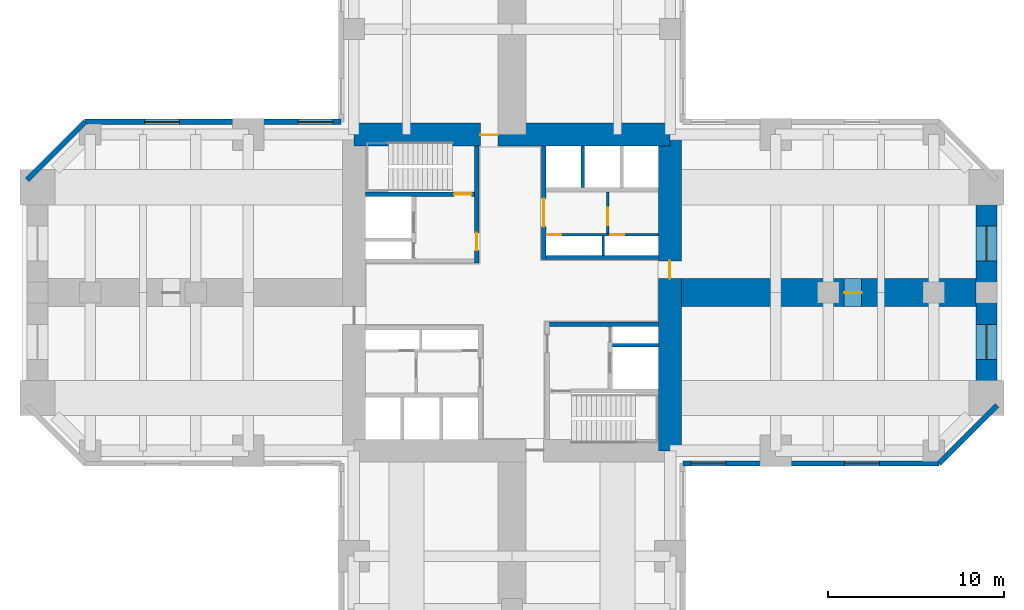
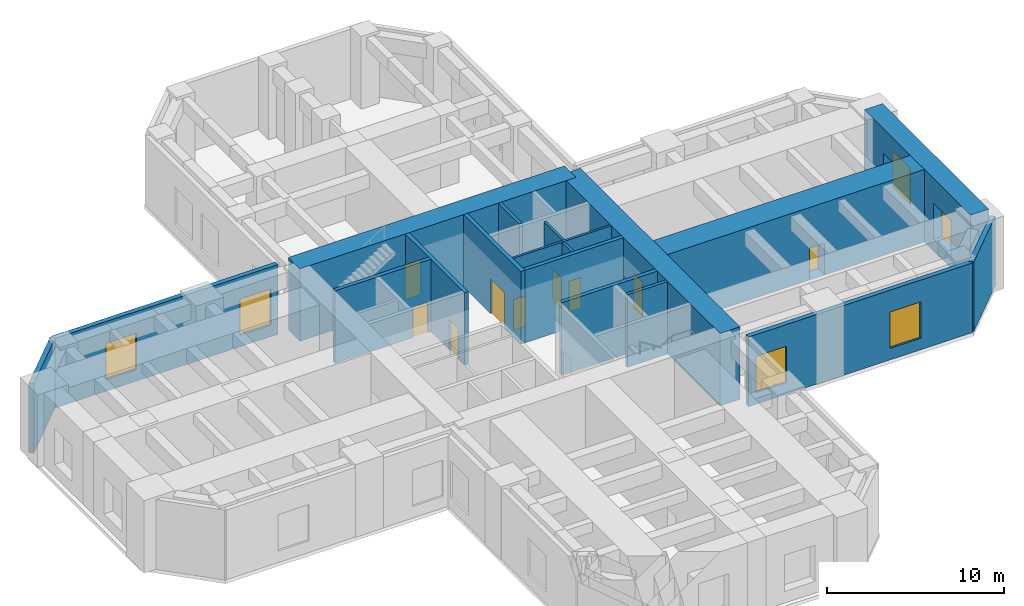
# One storey, part 4 of 6: 18 walls, 9 doors, 6 windows, 15 openings.
"""IFC4 building model written with IfcOpenShell, lengths in metres."""

from ifc_helpers import new_model, si_unit, direction, frame, frame_2d, origin, place, context, subcontext, project, spatial, rectangle, hollow_rectangle, extrude, material, layer, layer_set, constituent, constituent_set, type_object, element, fill, save


model = new_model("IFC4")

# Units and contexts
model_context = context("Model", 3, precision=1e-05, world=origin(), true_north=direction((0.0, 1.0)))
body_context = subcontext(model_context, "Body", "Model", "MODEL_VIEW")
ifc_project = project(units=[si_unit("LENGTHUNIT", "METRE"), si_unit("AREAUNIT", "SQUARE_METRE"), si_unit("VOLUMEUNIT", "CUBIC_METRE"), si_unit("PLANEANGLEUNIT", "RADIAN"), si_unit("MASSUNIT", "GRAM", prefix="KILO")], contexts=[model_context])

# Site, building, storey
site_placement = place(None, origin())
site = spatial("IfcSite", under=ifc_project, at=site_placement, CompositionType="ELEMENT")
building_placement = place(site_placement, origin())
building = spatial("IfcBuilding", under=site, at=building_placement, Name="Torre Cruceta", CompositionType="ELEMENT")
storey_placement = place(building_placement, frame((0.0, 0.0, 18.5)))
storey = spatial("IfcBuildingStorey", under=building, at=storey_placement, Name="L04", CompositionType="ELEMENT", Elevation=18.5)

# Wall, opening, door
ifc_material_1 = material(Name="Concrete G60 (fck 60 MPa)", Category="concrete")
ifc_layer_1 = layer(ifc_material_1, 0.25)
ifc_layer_set_1 = layer_set([ifc_layer_1], Name="Concrete G60 (fck 60 MPa)")
wall_type_1 = type_object("IfcWallType", Name="CORE INNER WALL 250 G60", PredefinedType="SHEAR", material=ifc_layer_set_1)
wall_1_placement = place(storey_placement, frame((1.800048828125, 1.875, 0.0), z_axis=(0.0, 0.0, 1.0), x_axis=(0.0, 1.0, 0.0)))
wall_1 = element("IfcWall", 1, at=wall_1_placement, inside=storey, type_object=wall_type_1, Name="CW4 L04 NE-CU", PredefinedType="SHEAR", context=body_context, shape_type="SweptSolid", body=[
    extrude(rectangle(XDim=6.47509765625, YDim=0.25, at=frame_2d((3.237548828125, 0.0))), origin(), (0.0, 0.0, 1.0), 5.0),
])
opening_1_placement = place(wall_1_placement, frame((1.875, 0.0, 0.0)))
opening_1 = element("IfcOpeningElement", 2, at=opening_1_placement, cuts=wall_1, Name="Opening D15", PredefinedType="OPENING", context=body_context, shape_type="SweptSolid", body=[
    extrude(rectangle(XDim=1.60009765625, YDim=2.39990234375, at=frame_2d((0.800048828125, 1.199951171875))), frame((0.0, 0.135009765625, 0.0), z_axis=(0.0, -1.0, 0.0), x_axis=(1.0, 0.0, 0.0)), (0.0, 0.0, 1.0), 0.27001953125),
])
ifc_material_2 = material(Name="Steel DX51D", Category="steel")
ifc_constituent_1 = constituent(ifc_material_2, Name="Leaf and frame")
ifc_material_3 = material(Name="Polyester powder coating", Category="paint")
ifc_constituent_2 = constituent(ifc_material_3, Name="Finish")
ifc_constituent_set_1 = constituent_set(constituents=[ifc_constituent_1, ifc_constituent_2], Name="Steel fire door")
door_type_1 = type_object("IfcDoorType", Name="CORE ROOM DOUBLE DOOR 1600X2400", OperationType="DOUBLE_DOOR_SINGLE_SWING", PredefinedType="DOOR", material=ifc_constituent_set_1)
door_1_placement = place(opening_1_placement, frame((1.60009765625, 0.0, 0.0), z_axis=(0.0, 0.0, 1.0), x_axis=(-1.0, 0.0, 0.0)))
door_1 = element("IfcDoor", 3, at=door_1_placement, inside=storey, type_object=door_type_1, Name="D15 L04 NE-LOBBY", OperationType="DOUBLE_DOOR_SINGLE_SWING", OverallHeight=2.39990234375, OverallWidth=1.60009765625, PredefinedType="DOOR", context=body_context, shape_type="SweptSolid", body=[
    extrude(rectangle(XDim=1.60009765625, YDim=2.39990234375, at=frame_2d((0.800048828125, 1.199951171875))), frame((0.0, 0.025146484375, 0.0), z_axis=(0.0, -1.0, 0.0), x_axis=(1.0, 0.0, 0.0)), (0.0, 0.0, 1.0), 0.050048828125),
])
fill(opening_1, door_1)

# Wall
wall_2_placement = place(storey_placement, frame((1.925048828125, 2.0, 0.0), z_axis=(0.0, 0.0, 1.0), x_axis=(1.0, 0.0, 0.0)))
element("IfcWall", 4, at=wall_2_placement, inside=storey, type_object=wall_type_1, Name="CW4 L04 NE-CV", PredefinedType="SHEAR", context=body_context, shape_type="SweptSolid", body=[
    extrude(rectangle(XDim=6.425048828125, YDim=0.25, at=frame_2d((3.21240234375, 0.0))), origin(), (0.0, 0.0, 1.0), 5.0),
])

# Wall, opening, door
wall_3_placement = place(storey_placement, frame((-2.0, 1.675048828125, 0.0), z_axis=(0.0, 0.0, 1.0), x_axis=(0.0, 1.0, 0.0)))
wall_3 = element("IfcWall", 5, at=wall_3_placement, inside=storey, type_object=wall_type_1, Name="CW4 L04 NW-CU", PredefinedType="SHEAR", context=body_context, shape_type="SweptSolid", body=[
    extrude(rectangle(XDim=6.675048828125, YDim=0.25, at=frame_2d((3.33740234375, 0.0))), origin(), (0.0, 0.0, 1.0), 5.0),
])
opening_2_placement = place(wall_3_placement, frame((0.72509765625, 0.0, 0.0)))
opening_2 = element("IfcOpeningElement", 6, at=opening_2_placement, cuts=wall_3, Name="Opening D3", PredefinedType="OPENING", context=body_context, shape_type="SweptSolid", body=[
    extrude(rectangle(XDim=1.0, YDim=2.10009765625, at=frame_2d((0.5, 1.050048828125))), frame((0.0, 0.135009765625, 0.0), z_axis=(0.0, -1.0, 0.0), x_axis=(1.0, 0.0, 0.0)), (0.0, 0.0, 1.0), 0.27001953125),
])
ifc_material_4 = material(Name="Steel DX51D", Category="steel")
ifc_constituent_3 = constituent(ifc_material_4, Name="Leaf and frame")
ifc_material_5 = material(Name="Polyester powder coating", Category="paint")
ifc_constituent_4 = constituent(ifc_material_5, Name="Finish")
ifc_constituent_set_2 = constituent_set(constituents=[ifc_constituent_3, ifc_constituent_4], Name="Steel fire door")
door_type_2 = type_object("IfcDoorType", Name="FIRE DOOR 1000X2100", OperationType="SINGLE_SWING_LEFT", PredefinedType="DOOR", material=ifc_constituent_set_2)
door_2_placement = place(opening_2_placement, origin())
door_2 = element("IfcDoor", 7, at=door_2_placement, inside=storey, type_object=door_type_2, Name="D3 L04 NW-LOBBY", OperationType="SINGLE_SWING_LEFT", OverallHeight=2.10009765625, OverallWidth=1.0, PredefinedType="DOOR", context=body_context, shape_type="SweptSolid", body=[
    extrude(rectangle(XDim=1.0, YDim=2.10009765625, at=frame_2d((0.5, 1.050048828125))), frame((0.0, 0.02490234375, 0.0), z_axis=(0.0, -1.0, 0.0), x_axis=(1.0, 0.0, 0.0)), (0.0, 0.0, 1.0), 0.050048828125),
])
fill(opening_2, door_2)

wall_4_placement = place(storey_placement, frame((-2.125, 5.60009765625, 0.0), z_axis=(0.0, 0.0, 1.0), x_axis=(-1.0, 0.0, 0.0)))
wall_4 = element("IfcWall", 8, at=wall_4_placement, inside=storey, type_object=wall_type_1, Name="CW4 L04 NW-SV", PredefinedType="SHEAR", context=body_context, shape_type="SweptSolid", body=[
    extrude(rectangle(XDim=6.22509765625, YDim=0.25, at=frame_2d((3.112548828125, 0.0))), origin(), (0.0, 0.0, 1.0), 5.0),
])
opening_3_placement = place(wall_4_placement, frame((0.175048828125, 0.0, 0.0)))
opening_3 = element("IfcOpeningElement", 9, at=opening_3_placement, cuts=wall_4, Name="Opening D3", PredefinedType="OPENING", context=body_context, shape_type="SweptSolid", body=[
    extrude(rectangle(XDim=1.0, YDim=2.10009765625, at=frame_2d((0.5, 1.050048828125))), frame((0.0, 0.135009765625, 0.0), z_axis=(0.0, -1.0, 0.0), x_axis=(1.0, 0.0, 0.0)), (0.0, 0.0, 1.0), 0.27001953125),
])
door_3_placement = place(opening_3_placement, frame((1.0, 0.0, 0.0), z_axis=(0.0, 0.0, 1.0), x_axis=(-1.0, 0.0, 0.0)))
door_3 = element("IfcDoor", 10, at=door_3_placement, inside=storey, type_object=door_type_2, Name="D3 L04 NW-STAIR", OperationType="SINGLE_SWING_RIGHT", OverallHeight=2.10009765625, OverallWidth=1.0, PredefinedType="DOOR", context=body_context, shape_type="SweptSolid", body=[
    extrude(rectangle(XDim=1.0, YDim=2.10009765625, at=frame_2d((0.5, 1.050048828125))), frame((0.0, 0.025146484375, 0.0), z_axis=(0.0, -1.0, 0.0), x_axis=(1.0, 0.0, 0.0)), (0.0, 0.0, 1.0), 0.050048828125),
])
fill(opening_3, door_3)

# Wall
wall_5_placement = place(storey_placement, frame((2.125, -1.800048828125, 0.0), z_axis=(0.0, 0.0, 1.0), x_axis=(1.0, 0.0, 0.0)))
element("IfcWall", 11, at=wall_5_placement, inside=storey, type_object=wall_type_1, Name="CW4 L04 SE-CV", PredefinedType="SHEAR", context=body_context, shape_type="SweptSolid", body=[
    extrude(rectangle(XDim=6.22509765625, YDim=0.25, at=frame_2d((3.112548828125, 0.0))), origin(), (0.0, 0.0, 1.0), 5.0),
])

# Wall, opening, door
ifc_material_6 = material(Name="Concrete G60 (fck 60 MPa)", Category="concrete")
ifc_layer_2 = layer(ifc_material_6, 1.300048828125)
ifc_layer_set_2 = layer_set([ifc_layer_2], Name="Concrete G60 (fck 60 MPa)")
wall_type_2 = type_object("IfcWallType", Name="CORE WALL 1300 G60", PredefinedType="SHEAR", material=ifc_layer_set_2)
wall_6_placement = place(storey_placement, frame((9.0, 9.0, 0.0), z_axis=(0.0, 0.0, 1.0), x_axis=(-1.0, 0.0, 0.0)))
wall_6 = element("IfcWall", 12, at=wall_6_placement, inside=storey, type_object=wall_type_2, Name="CW1 L04 CW-N", PredefinedType="SHEAR", context=body_context, shape_type="SweptSolid", body=[
    extrude(rectangle(XDim=18.0, YDim=1.300048828125, at=frame_2d((9.0, 0.0))), origin(), (0.0, 0.0, 1.0), 5.0),
])
opening_4_placement = place(wall_6_placement, frame((9.800048828125, 0.0, 0.0)))
opening_4 = element("IfcOpeningElement", 13, at=opening_4_placement, cuts=wall_6, Name="Opening D4", PredefinedType="OPENING", context=body_context, shape_type="SweptSolid", body=[
    extrude(rectangle(XDim=1.0, YDim=2.39990234375, at=frame_2d((0.5, 1.199951171875))), frame((0.0, 0.659912109375, 0.0), z_axis=(0.0, -1.0, 0.0), x_axis=(1.0, 0.0, 0.0)), (0.0, 0.0, 1.0), 1.320068359375),
])
ifc_material_7 = material(Name="Steel DX51D", Category="steel")
ifc_constituent_5 = constituent(ifc_material_7, Name="Leaf and frame")
ifc_material_8 = material(Name="Polyester powder coating", Category="paint")
ifc_constituent_6 = constituent(ifc_material_8, Name="Finish")
ifc_constituent_set_3 = constituent_set(constituents=[ifc_constituent_5, ifc_constituent_6], Name="Steel fire door")
door_type_3 = type_object("IfcDoorType", Name="CORE ARM DOOR 1000X2400", OperationType="SINGLE_SWING_RIGHT", PredefinedType="DOOR", material=ifc_constituent_set_3)
door_4_placement = place(opening_4_placement, frame((1.0, 0.0, 0.0), z_axis=(0.0, 0.0, 1.0), x_axis=(-1.0, 0.0, 0.0)))
door_4 = element("IfcDoor", 14, at=door_4_placement, inside=storey, type_object=door_type_3, Name="D4 L04 CW-N", OperationType="SINGLE_SWING_RIGHT", OverallHeight=2.39990234375, OverallWidth=1.0, PredefinedType="DOOR", context=body_context, shape_type="SweptSolid", body=[
    extrude(rectangle(XDim=1.0, YDim=2.39990234375, at=frame_2d((0.5, 1.199951171875))), frame((0.0, -0.005126953125, 0.0), z_axis=(0.0, -1.0, 0.0), x_axis=(1.0, 0.0, 0.0)), (0.0, 0.0, 1.0), 0.050048828125),
])
fill(opening_4, door_4)

wall_7_placement = place(storey_placement, frame((9.0, -9.0, 0.0), z_axis=(0.0, 0.0, 1.0), x_axis=(0.0, 1.0, 0.0)))
wall_7 = element("IfcWall", 15, at=wall_7_placement, inside=storey, type_object=wall_type_2, Name="CW1 L04 CW-E", PredefinedType="SHEAR", context=body_context, shape_type="SweptSolid", body=[
    extrude(rectangle(XDim=18.0, YDim=1.300048828125, at=frame_2d((9.0, 0.0))), origin(), (0.0, 0.0, 1.0), 5.0),
])
opening_5_placement = place(wall_7_placement, frame((9.800048828125, 0.0, 0.0)))
opening_5 = element("IfcOpeningElement", 16, at=opening_5_placement, cuts=wall_7, Name="Opening D4", PredefinedType="OPENING", context=body_context, shape_type="SweptSolid", body=[
    extrude(rectangle(XDim=1.0, YDim=2.39990234375, at=frame_2d((0.5, 1.199951171875))), frame((0.0, 0.659912109375, 0.0), z_axis=(0.0, -1.0, 0.0), x_axis=(1.0, 0.0, 0.0)), (0.0, 0.0, 1.0), 1.320068359375),
])
door_5_placement = place(opening_5_placement, frame((1.0, 0.0, 0.0), z_axis=(0.0, 0.0, 1.0), x_axis=(-1.0, 0.0, 0.0)))
door_5 = element("IfcDoor", 17, at=door_5_placement, inside=storey, type_object=door_type_3, Name="D4 L04 CW-E", OperationType="SINGLE_SWING_RIGHT", OverallHeight=2.39990234375, OverallWidth=1.0, PredefinedType="DOOR", context=body_context, shape_type="SweptSolid", body=[
    extrude(rectangle(XDim=1.0, YDim=2.39990234375, at=frame_2d((0.5, 1.199951171875))), frame((0.0, -0.005126953125, 0.0), z_axis=(0.0, -1.0, 0.0), x_axis=(1.0, 0.0, 0.0)), (0.0, 0.0, 1.0), 0.050048828125),
])
fill(opening_5, door_5)

# Wall, openings, windows
ifc_material_9 = material(Name="Concrete G30 (fck 30 MPa)", Category="concrete")
ifc_layer_3 = layer(ifc_material_9, 0.300048828125)
ifc_layer_set_3 = layer_set([ifc_layer_3], Name="Concrete G30 (fck 30 MPa)")
wall_type_3 = type_object("IfcWallType", Name="EXPOSED CONCRETE FACADE WALL 300", PredefinedType="SOLIDWALL", material=ifc_layer_set_3)
wall_8_placement = place(storey_placement, frame((9.719970703125, -9.719970703125, 0.0), z_axis=(0.0, 0.0, 1.0), x_axis=(1.0, 0.0, 0.0)))
wall_8 = element("IfcWall", 18, at=wall_8_placement, inside=storey, type_object=wall_type_3, Name="EW1 facade wall L04 E side 00", PredefinedType="SOLIDWALL", context=body_context, shape_type="SweptSolid", body=[
    extrude(rectangle(XDim=14.578369140625, YDim=0.300048828125, at=frame_2d((7.2890625, 0.0))), origin(), (0.0, 0.0, 1.0), 4.800048828125),
])
opening_6_placement = place(wall_8_placement, frame((0.457763671875, 0.0, 0.800048828125)))
opening_6 = element("IfcOpeningElement", 19, at=opening_6_placement, cuts=wall_8, Name="Opening WN3", PredefinedType="OPENING", context=body_context, shape_type="SweptSolid", body=[
    extrude(rectangle(XDim=2.0, YDim=2.5, at=frame_2d((1.0, 1.25))), frame((0.0, 0.159912109375, 0.0), z_axis=(0.0, -1.0, 0.0), x_axis=(1.0, 0.0, 0.0)), (0.0, 0.0, 1.0), 0.320068359375),
])
opening_7_placement = place(wall_8_placement, frame((9.204833984375, 0.0, 0.800048828125)))
opening_7 = element("IfcOpeningElement", 20, at=opening_7_placement, cuts=wall_8, Name="Opening WN3", PredefinedType="OPENING", context=body_context, shape_type="SweptSolid", body=[
    extrude(rectangle(XDim=2.0, YDim=2.5, at=frame_2d((1.0, 1.25))), frame((0.0, 0.159912109375, 0.0), z_axis=(0.0, -1.0, 0.0), x_axis=(1.0, 0.0, 0.0)), (0.0, 0.0, 1.0), 0.320068359375),
])
ifc_material_10 = material(Name="Aluminium window frame", Category="aluminium")
ifc_constituent_7 = constituent(ifc_material_10, Name="Frame")
ifc_material_11 = material(Name="Laminated insulating glass unit, low-iron clear", Category="glass")
ifc_constituent_8 = constituent(ifc_material_11, Name="Glazing")
ifc_constituent_set_4 = constituent_set(constituents=[ifc_constituent_7, ifc_constituent_8], Name="Aluminium window")
window_type = type_object("IfcWindowType", Name="PLANT LOUVRE 2000X2500", PartitioningType="SINGLE_PANEL", PredefinedType="WINDOW", material=ifc_constituent_set_4)
window_1_placement = place(opening_6_placement, origin())
window_1 = element("IfcWindow", 21, at=window_1_placement, inside=storey, type_object=window_type, Name="WN3 L04 E 1", OverallHeight=2.5, OverallWidth=2.0, PartitioningType="SINGLE_PANEL", PredefinedType="WINDOW", context=body_context, shape_type="SweptSolid", body=[
    extrude(hollow_rectangle(XDim=2.0, YDim=2.5, WallThickness=0.06005859375, at=frame_2d((1.0, 1.25))), frame((0.0, 0.030029296875, 0.0), z_axis=(0.0, -1.0, 0.0), x_axis=(1.0, 0.0, 0.0)), (0.0, 0.0, 1.0), 0.06005859375),
    extrude(rectangle(XDim=1.87890625, YDim=2.37890625, at=frame_2d((1.0, 1.25))), frame((0.0, 0.030029296875, 0.0), z_axis=(0.0, -1.0, 0.0), x_axis=(1.0, 0.0, 0.0)), (0.0, 0.0, 1.0), 0.06005859375),
])
fill(opening_6, window_1)
window_2_placement = place(opening_7_placement, origin())
window_2 = element("IfcWindow", 22, at=window_2_placement, inside=storey, type_object=window_type, Name="WN3 L04 E 4", OverallHeight=2.5, OverallWidth=2.0, PartitioningType="SINGLE_PANEL", PredefinedType="WINDOW", context=body_context, shape_type="SweptSolid", body=[
    extrude(hollow_rectangle(XDim=2.0, YDim=2.5, WallThickness=0.06005859375, at=frame_2d((1.0, 1.25))), frame((0.0, 0.030029296875, 0.0), z_axis=(0.0, -1.0, 0.0), x_axis=(1.0, 0.0, 0.0)), (0.0, 0.0, 1.0), 0.06005859375),
    extrude(rectangle(XDim=1.87890625, YDim=2.37890625, at=frame_2d((1.0, 1.25))), frame((0.0, 0.030029296875, 0.0), z_axis=(0.0, -1.0, 0.0), x_axis=(1.0, 0.0, 0.0)), (0.0, 0.0, 1.0), 0.06005859375),
])
fill(opening_7, window_2)

# Wall
wall_9_placement = place(storey_placement, frame((24.29833984375, -9.719970703125, 0.0), z_axis=(0.0, 0.0, 1.0), x_axis=(0.707106781187, 0.707106781187, 0.0)))
element("IfcWall", 23, at=wall_9_placement, inside=storey, type_object=wall_type_3, Name="EW1 facade wall L04 E chamfer 01", PredefinedType="SOLIDWALL", context=body_context, shape_type="SweptSolid", body=[
    extrude(rectangle(XDim=4.66943359375, YDim=0.300048828125, at=frame_2d((2.334716796875, 0.0))), origin(), (0.0, 0.0, 1.0), 4.800048828125),
])

# Wall, openings, windows
wall_10_placement = place(storey_placement, frame((-9.719970703125, 9.719970703125, 0.0), z_axis=(0.0, 0.0, 1.0), x_axis=(-1.0, 0.0, 0.0)))
wall_10 = element("IfcWall", 24, at=wall_10_placement, inside=storey, type_object=wall_type_3, Name="EW1 facade wall L04 W side 10", PredefinedType="SOLIDWALL", context=body_context, shape_type="SweptSolid", body=[
    extrude(rectangle(XDim=14.578369140625, YDim=0.300048828125, at=frame_2d((7.2890625, 0.0))), origin(), (0.0, 0.0, 1.0), 4.800048828125),
])
opening_8_placement = place(wall_10_placement, frame((0.457763671875, 0.0, 0.800048828125)))
opening_8 = element("IfcOpeningElement", 25, at=opening_8_placement, cuts=wall_10, Name="Opening WN3", PredefinedType="OPENING", context=body_context, shape_type="SweptSolid", body=[
    extrude(rectangle(XDim=2.0, YDim=2.5, at=frame_2d((1.0, 1.25))), frame((0.0, 0.159912109375, 0.0), z_axis=(0.0, -1.0, 0.0), x_axis=(1.0, 0.0, 0.0)), (0.0, 0.0, 1.0), 0.320068359375),
])
opening_9_placement = place(wall_10_placement, frame((9.204833984375, 0.0, 0.800048828125)))
opening_9 = element("IfcOpeningElement", 26, at=opening_9_placement, cuts=wall_10, Name="Opening WN3", PredefinedType="OPENING", context=body_context, shape_type="SweptSolid", body=[
    extrude(rectangle(XDim=2.0, YDim=2.5, at=frame_2d((1.0, 1.25))), frame((0.0, 0.159912109375, 0.0), z_axis=(0.0, -1.0, 0.0), x_axis=(1.0, 0.0, 0.0)), (0.0, 0.0, 1.0), 0.320068359375),
])
window_3_placement = place(opening_8_placement, origin())
window_3 = element("IfcWindow", 27, at=window_3_placement, inside=storey, type_object=window_type, Name="WN3 L04 W 1", OverallHeight=2.5, OverallWidth=2.0, PartitioningType="SINGLE_PANEL", PredefinedType="WINDOW", context=body_context, shape_type="SweptSolid", body=[
    extrude(hollow_rectangle(XDim=2.0, YDim=2.5, WallThickness=0.06005859375, at=frame_2d((1.0, 1.25))), frame((0.0, 0.030029296875, 0.0), z_axis=(0.0, -1.0, 0.0), x_axis=(1.0, 0.0, 0.0)), (0.0, 0.0, 1.0), 0.06005859375),
    extrude(rectangle(XDim=1.87890625, YDim=2.37890625, at=frame_2d((1.0, 1.25))), frame((0.0, 0.030029296875, 0.0), z_axis=(0.0, -1.0, 0.0), x_axis=(1.0, 0.0, 0.0)), (0.0, 0.0, 1.0), 0.06005859375),
])
fill(opening_8, window_3)
window_4_placement = place(opening_9_placement, origin())
window_4 = element("IfcWindow", 28, at=window_4_placement, inside=storey, type_object=window_type, Name="WN3 L04 W 4", OverallHeight=2.5, OverallWidth=2.0, PartitioningType="SINGLE_PANEL", PredefinedType="WINDOW", context=body_context, shape_type="SweptSolid", body=[
    extrude(hollow_rectangle(XDim=2.0, YDim=2.5, WallThickness=0.06005859375, at=frame_2d((1.0, 1.25))), frame((0.0, 0.030029296875, 0.0), z_axis=(0.0, -1.0, 0.0), x_axis=(1.0, 0.0, 0.0)), (0.0, 0.0, 1.0), 0.06005859375),
    extrude(rectangle(XDim=1.87890625, YDim=2.37890625, at=frame_2d((1.0, 1.25))), frame((0.0, 0.030029296875, 0.0), z_axis=(0.0, -1.0, 0.0), x_axis=(1.0, 0.0, 0.0)), (0.0, 0.0, 1.0), 0.06005859375),
])
fill(opening_9, window_4)

# Walls
wall_11_placement = place(storey_placement, frame((-24.29833984375, 9.719970703125, 0.0), z_axis=(0.0, 0.0, 1.0), x_axis=(-0.707106781187, -0.707106781187, 0.0)))
element("IfcWall", 29, at=wall_11_placement, inside=storey, type_object=wall_type_3, Name="EW1 facade wall L04 W chamfer 11", PredefinedType="SOLIDWALL", context=body_context, shape_type="SweptSolid", body=[
    extrude(rectangle(XDim=4.66943359375, YDim=0.300048828125, at=frame_2d((2.334716796875, 0.0))), origin(), (0.0, 0.0, 1.0), 4.800048828125),
])
ifc_material_12 = material(Name="Concrete G35 (fck 35 MPa)", Category="concrete")
ifc_layer_4 = layer(ifc_material_12, 0.199951171875)
ifc_layer_set_4 = layer_set([ifc_layer_4], Name="Concrete G35 (fck 35 MPa)")
wall_type_4 = type_object("IfcWallType", Name="LIFT SHAFT WALL 200", PredefinedType="PARTITIONING", material=ifc_layer_set_4)
wall_12_placement = place(storey_placement, frame((4.033447265625, 5.97509765625, 0.0), z_axis=(0.0, 0.0, 1.0), x_axis=(0.0, 1.0, 0.0)))
element("IfcWall", 30, at=wall_12_placement, inside=storey, type_object=wall_type_4, Name="SW1 L04 NE-LS1", PredefinedType="PARTITIONING", context=body_context, shape_type="SweptSolid", body=[
    extrude(rectangle(XDim=2.375, YDim=0.199951171875, at=frame_2d((1.1875, 0.0))), origin(), (0.0, 0.0, 1.0), 5.0),
])
wall_13_placement = place(storey_placement, frame((5.72509765625, -3.0, 0.0), z_axis=(0.0, 0.0, 1.0), x_axis=(1.0, 0.0, 0.0)))
element("IfcWall", 31, at=wall_13_placement, inside=storey, type_object=wall_type_4, Name="SW1 L04 SE-FR", PredefinedType="PARTITIONING", context=body_context, shape_type="SweptSolid", body=[
    extrude(rectangle(XDim=2.625, YDim=0.199951171875, at=frame_2d((1.3125, 0.0))), origin(), (0.0, 0.0, 1.0), 5.0),
])

# Wall, openings, windows
ifc_material_13 = material(Name="Concrete G60 (fck 60 MPa)", Category="concrete")
ifc_layer_5 = layer(ifc_material_13, 1.199951171875)
ifc_layer_set_5 = layer_set([ifc_layer_5], Name="Concrete G60 (fck 60 MPa)")
wall_type_5 = type_object("IfcWallType", Name="NOSE WALL 1200 G60", PredefinedType="SHEAR", material=ifc_layer_set_5)
wall_14_placement = place(storey_placement, frame((27.0, -6.0, 0.0), z_axis=(0.0, 0.0, 1.0), x_axis=(0.0, 1.0, 0.0)))
wall_14 = element("IfcWall", 32, at=wall_14_placement, inside=storey, type_object=wall_type_5, Name="NW1 nose wall L04 E", PredefinedType="SHEAR", context=body_context, shape_type="SweptSolid", body=[
    extrude(rectangle(XDim=12.0, YDim=1.199951171875, at=frame_2d((6.0, 0.0))), origin(), (0.0, 0.0, 1.0), 5.0),
])
opening_10_placement = place(wall_14_placement, frame((2.199951171875, 0.0, 0.800048828125)))
opening_10 = element("IfcOpeningElement", 33, at=opening_10_placement, cuts=wall_14, Name="Opening WN3", PredefinedType="OPENING", context=body_context, shape_type="SweptSolid", body=[
    extrude(rectangle(XDim=2.0, YDim=2.5, at=frame_2d((1.0, 1.25))), frame((0.0, 0.60986328125, 0.0), z_axis=(0.0, -1.0, 0.0), x_axis=(1.0, 0.0, 0.0)), (0.0, 0.0, 1.0), 1.219970703125),
])
opening_11_placement = place(wall_14_placement, frame((7.800048828125, 0.0, 0.800048828125)))
opening_11 = element("IfcOpeningElement", 34, at=opening_11_placement, cuts=wall_14, Name="Opening WN3", PredefinedType="OPENING", context=body_context, shape_type="SweptSolid", body=[
    extrude(rectangle(XDim=2.0, YDim=2.5, at=frame_2d((1.0, 1.25))), frame((0.0, 0.60986328125, 0.0), z_axis=(0.0, -1.0, 0.0), x_axis=(1.0, 0.0, 0.0)), (0.0, 0.0, 1.0), 1.219970703125),
])
window_5_placement = place(opening_10_placement, origin())
window_5 = element("IfcWindow", 35, at=window_5_placement, inside=storey, type_object=window_type, Name="WN3 L04 E 1", OverallHeight=2.5, OverallWidth=2.0, PartitioningType="SINGLE_PANEL", PredefinedType="WINDOW", context=body_context, shape_type="SweptSolid", body=[
    extrude(hollow_rectangle(XDim=2.0, YDim=2.5, WallThickness=0.06005859375, at=frame_2d((1.0, 1.25))), frame((0.0, 0.030029296875, 0.0), z_axis=(0.0, -1.0, 0.0), x_axis=(1.0, 0.0, 0.0)), (0.0, 0.0, 1.0), 0.06005859375),
    extrude(rectangle(XDim=1.87890625, YDim=2.37890625, at=frame_2d((1.0, 1.25))), frame((0.0, 0.030029296875, 0.0), z_axis=(0.0, -1.0, 0.0), x_axis=(1.0, 0.0, 0.0)), (0.0, 0.0, 1.0), 0.06005859375),
])
fill(opening_10, window_5)
window_6_placement = place(opening_11_placement, origin())
window_6 = element("IfcWindow", 36, at=window_6_placement, inside=storey, type_object=window_type, Name="WN3 L04 E 2", OverallHeight=2.5, OverallWidth=2.0, PartitioningType="SINGLE_PANEL", PredefinedType="WINDOW", context=body_context, shape_type="SweptSolid", body=[
    extrude(hollow_rectangle(XDim=2.0, YDim=2.5, WallThickness=0.06005859375, at=frame_2d((1.0, 1.25))), frame((0.0, 0.030029296875, 0.0), z_axis=(0.0, -1.0, 0.0), x_axis=(1.0, 0.0, 0.0)), (0.0, 0.0, 1.0), 0.06005859375),
    extrude(rectangle(XDim=1.87890625, YDim=2.37890625, at=frame_2d((1.0, 1.25))), frame((0.0, 0.030029296875, 0.0), z_axis=(0.0, -1.0, 0.0), x_axis=(1.0, 0.0, 0.0)), (0.0, 0.0, 1.0), 0.06005859375),
])
fill(opening_11, window_6)

# Wall, opening, door
ifc_material_14 = material(Name="Plasterboard on steel studs", Category="steel")
ifc_layer_6 = layer(ifc_material_14, 0.14990234375)
ifc_layer_set_6 = layer_set([ifc_layer_6], Name="Plasterboard on steel studs")
wall_type_6 = type_object("IfcWallType", Name="PARTITION 150", PredefinedType="PARTITIONING", material=ifc_layer_set_6)
wall_15_placement = place(storey_placement, frame((5.449951171875, 3.375, 0.0), z_axis=(0.0, 0.0, 1.0), x_axis=(0.0, 1.0, 0.0)))
wall_15 = element("IfcWall", 37, at=wall_15_placement, inside=storey, type_object=wall_type_6, Name="PT1 L04-CORE-NE-X", PredefinedType="PARTITIONING", context=body_context, shape_type="SweptSolid", body=[
    extrude(rectangle(XDim=2.35009765625, YDim=0.14990234375, at=frame_2d((1.175048828125, 0.0))), origin(), (0.0, 0.0, 1.0), 4.800048828125),
])
opening_12_placement = place(wall_15_placement, frame((0.449951171875, 0.0, 0.0)))
opening_12 = element("IfcOpeningElement", 38, at=opening_12_placement, cuts=wall_15, Name="Opening D3", PredefinedType="OPENING", context=body_context, shape_type="SweptSolid", body=[
    extrude(rectangle(XDim=1.0, YDim=2.10009765625, at=frame_2d((0.5, 1.050048828125))), frame((0.0, 0.0849609375, 0.0), z_axis=(0.0, -1.0, 0.0), x_axis=(1.0, 0.0, 0.0)), (0.0, 0.0, 1.0), 0.169921875),
])
door_6_placement = place(opening_12_placement, frame((1.0, 0.0, 0.0), z_axis=(0.0, 0.0, 1.0), x_axis=(-1.0, 0.0, 0.0)))
door_6 = element("IfcDoor", 39, at=door_6_placement, inside=storey, type_object=door_type_2, Name="D3 L04-CORE-NE-X-D1", OperationType="SINGLE_SWING_RIGHT", OverallHeight=2.10009765625, OverallWidth=1.0, PredefinedType="DOOR", context=body_context, shape_type="SweptSolid", body=[
    extrude(rectangle(XDim=1.0, YDim=2.10009765625, at=frame_2d((0.5, 1.050048828125))), frame((0.0, 0.025146484375, 0.0), z_axis=(0.0, -1.0, 0.0), x_axis=(1.0, 0.0, 0.0)), (0.0, 0.0, 1.0), 0.050048828125),
])
fill(opening_12, door_6)

# Wall, openings, doors
ifc_material_15 = material(Name="Concrete block masonry", Category="masonry")
ifc_layer_7 = layer(ifc_material_15, 0.14990234375)
ifc_layer_set_7 = layer_set([ifc_layer_7], Name="Concrete block masonry")
wall_type_7 = type_object("IfcWallType", Name="RISER WALL 150", PredefinedType="PARTITIONING", material=ifc_layer_set_7)
wall_16_placement = place(storey_placement, frame((1.925048828125, 3.300048828125, 0.0), z_axis=(0.0, 0.0, 1.0), x_axis=(1.0, 0.0, 0.0)))
wall_16 = element("IfcWall", 40, at=wall_16_placement, inside=storey, type_object=wall_type_7, Name="SW7 L04 NE-RV", PredefinedType="PARTITIONING", context=body_context, shape_type="SweptSolid", body=[
    extrude(rectangle(XDim=6.425048828125, YDim=0.14990234375, at=frame_2d((3.21240234375, 0.0))), origin(), (0.0, 0.0, 1.0), 5.0),
])
opening_13_placement = place(wall_16_placement, frame((0.074951171875, 0.0, 0.0)))
opening_13 = element("IfcOpeningElement", 41, at=opening_13_placement, cuts=wall_16, Name="Opening D5", PredefinedType="OPENING", context=body_context, shape_type="SweptSolid", body=[
    extrude(rectangle(XDim=0.800048828125, YDim=2.10009765625, at=frame_2d((0.39990234375, 1.050048828125))), frame((0.0, 0.0849609375, 0.0), z_axis=(0.0, -1.0, 0.0), x_axis=(1.0, 0.0, 0.0)), (0.0, 0.0, 1.0), 0.169921875),
])
opening_14_placement = place(wall_16_placement, frame((3.675048828125, 0.0, 0.0)))
opening_14 = element("IfcOpeningElement", 42, at=opening_14_placement, cuts=wall_16, Name="Opening D5", PredefinedType="OPENING", context=body_context, shape_type="SweptSolid", body=[
    extrude(rectangle(XDim=0.800048828125, YDim=2.10009765625, at=frame_2d((0.39990234375, 1.050048828125))), frame((0.0, 0.0849609375, 0.0), z_axis=(0.0, -1.0, 0.0), x_axis=(1.0, 0.0, 0.0)), (0.0, 0.0, 1.0), 0.169921875),
])
ifc_material_16 = material(Name="Steel DX51D", Category="steel")
ifc_constituent_9 = constituent(ifc_material_16, Name="Leaf and frame")
ifc_material_17 = material(Name="Polyester powder coating", Category="paint")
ifc_constituent_10 = constituent(ifc_material_17, Name="Finish")
ifc_constituent_set_5 = constituent_set(constituents=[ifc_constituent_9, ifc_constituent_10], Name="Steel fire door")
door_type_4 = type_object("IfcDoorType", Name="RISER ACCESS DOOR 800X2100", OperationType="SINGLE_SWING_LEFT", PredefinedType="DOOR", material=ifc_constituent_set_5)
door_7_placement = place(opening_13_placement, frame((0.800048828125, 0.0, 0.0), z_axis=(0.0, 0.0, 1.0), x_axis=(-1.0, 0.0, 0.0)))
door_7 = element("IfcDoor", 43, at=door_7_placement, inside=storey, type_object=door_type_4, Name="D5 L04 NE-RISER1", OperationType="SINGLE_SWING_RIGHT", OverallHeight=2.10009765625, OverallWidth=0.800048828125, PredefinedType="DOOR", context=body_context, shape_type="SweptSolid", body=[
    extrude(rectangle(XDim=0.800048828125, YDim=2.10009765625, at=frame_2d((0.400146484375, 1.050048828125))), frame((0.0, 0.025146484375, 0.0), z_axis=(0.0, -1.0, 0.0), x_axis=(1.0, 0.0, 0.0)), (0.0, 0.0, 1.0), 0.050048828125),
])
fill(opening_13, door_7)
door_8_placement = place(opening_14_placement, frame((0.800048828125, 0.0, 0.0), z_axis=(0.0, 0.0, 1.0), x_axis=(-1.0, 0.0, 0.0)))
door_8 = element("IfcDoor", 44, at=door_8_placement, inside=storey, type_object=door_type_4, Name="D5 L04 NE-RISER2", OperationType="SINGLE_SWING_RIGHT", OverallHeight=2.10009765625, OverallWidth=0.800048828125, PredefinedType="DOOR", context=body_context, shape_type="SweptSolid", body=[
    extrude(rectangle(XDim=0.800048828125, YDim=2.10009765625, at=frame_2d((0.400146484375, 1.050048828125))), frame((0.0, 0.025146484375, 0.0), z_axis=(0.0, -1.0, 0.0), x_axis=(1.0, 0.0, 0.0)), (0.0, 0.0, 1.0), 0.050048828125),
])
fill(opening_14, door_8)

# Wall
wall_17_placement = place(storey_placement, frame((5.199951171875, 2.125, 0.0), z_axis=(0.0, 0.0, 1.0), x_axis=(0.0, 1.0, 0.0)))
element("IfcWall", 45, at=wall_17_placement, inside=storey, type_object=wall_type_7, Name="SW7 L04 NE-RU", PredefinedType="PARTITIONING", context=body_context, shape_type="SweptSolid", body=[
    extrude(rectangle(XDim=1.10009765625, YDim=0.14990234375, at=frame_2d((0.550048828125, 0.0))), origin(), (0.0, 0.0, 1.0), 5.0),
])

# Wall, opening, door
ifc_material_18 = material(Name="Concrete G60 (fck 60 MPa)", Category="concrete")
ifc_layer_8 = layer(ifc_material_18, 1.60009765625)
ifc_layer_set_8 = layer_set([ifc_layer_8], Name="Concrete G60 (fck 60 MPa)")
wall_type_8 = type_object("IfcWallType", Name="SPINE WALL 1600 G60", PredefinedType="SHEAR", material=ifc_layer_set_8)
wall_18_placement = place(storey_placement, frame((9.0, 0.0, 0.0), z_axis=(0.0, 0.0, 1.0), x_axis=(1.0, 0.0, 0.0)))
wall_18 = element("IfcWall", 46, at=wall_18_placement, inside=storey, type_object=wall_type_8, Name="SW2 spine wall L04 E", PredefinedType="SHEAR", context=body_context, shape_type="SweptSolid", body=[
    extrude(rectangle(XDim=18.0, YDim=1.60009765625, at=frame_2d((9.0, 0.0))), origin(), (0.0, 0.0, 1.0), 5.0),
])
opening_15_placement = place(wall_18_placement, frame((9.89990234375, 0.0, 0.0)))
opening_15 = element("IfcOpeningElement", 47, at=opening_15_placement, cuts=wall_18, Name="Opening D14", PredefinedType="OPENING", context=body_context, shape_type="SweptSolid", body=[
    extrude(rectangle(XDim=1.0, YDim=2.199951171875, at=frame_2d((0.5, 1.10009765625))), frame((0.0, 0.81005859375, 0.0), z_axis=(0.0, -1.0, 0.0), x_axis=(1.0, 0.0, 0.0)), (0.0, 0.0, 1.0), 1.6201171875),
])
ifc_material_19 = material(Name="Steel DX51D", Category="steel")
ifc_constituent_11 = constituent(ifc_material_19, Name="Leaf and frame")
ifc_material_20 = material(Name="Polyester powder coating", Category="paint")
ifc_constituent_12 = constituent(ifc_material_20, Name="Finish")
ifc_material_21 = material(Name="Fire-resisting glass", Category="glass")
ifc_constituent_13 = constituent(ifc_material_21, Name="Vision panel")
ifc_constituent_set_6 = constituent_set(constituents=[ifc_constituent_11, ifc_constituent_12, ifc_constituent_13], Name="Steel fire door with vision panel")
door_type_5 = type_object("IfcDoorType", Name="FIRE DOOR VISION PANEL 1000X2200", OperationType="SINGLE_SWING_RIGHT", PredefinedType="DOOR", material=ifc_constituent_set_6)
door_9_placement = place(opening_15_placement, frame((1.0, 0.0, 0.0), z_axis=(0.0, 0.0, 1.0), x_axis=(-1.0, 0.0, 0.0)))
door_9 = element("IfcDoor", 48, at=door_9_placement, inside=storey, type_object=door_type_5, Name="D14 L04-E-SP1", OperationType="SINGLE_SWING_LEFT", OverallHeight=2.199951171875, OverallWidth=1.0, PredefinedType="DOOR", context=body_context, shape_type="SweptSolid", body=[
    extrude(rectangle(XDim=1.0, YDim=2.199951171875, at=frame_2d((0.5, 1.10009765625))), frame((0.0, 0.025146484375, 0.0), z_axis=(0.0, -1.0, 0.0), x_axis=(1.0, 0.0, 0.0)), (0.0, 0.0, 1.0), 0.050048828125),
])
fill(opening_15, door_9)

save(model, "model.ifc")
